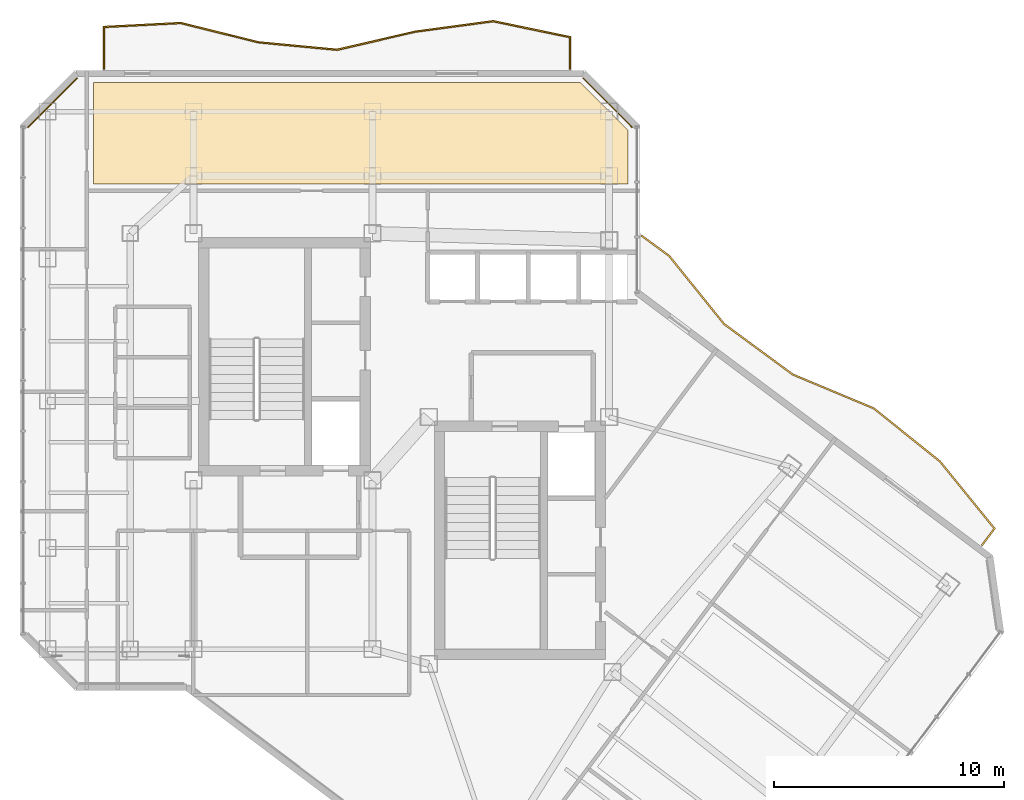
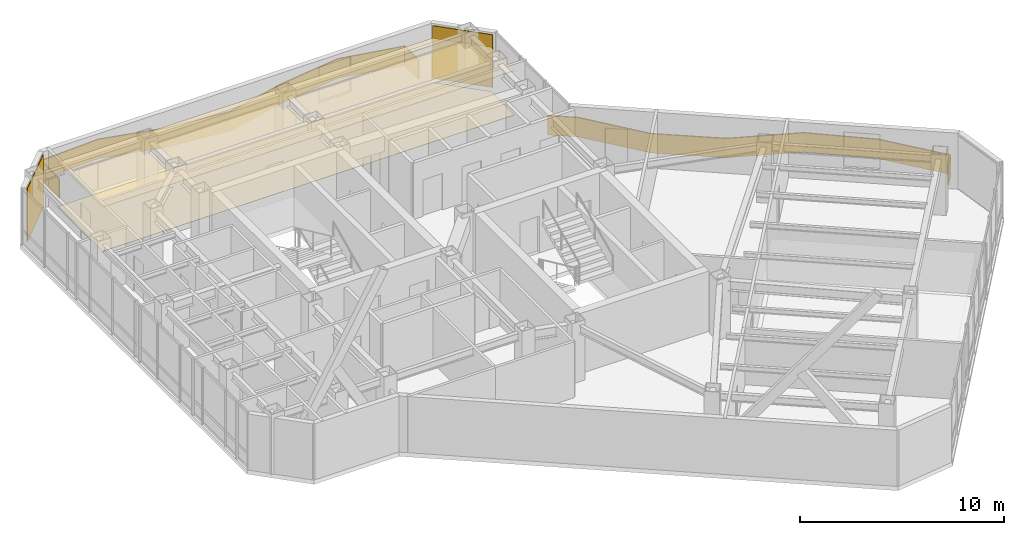
# One storey, part 24 of 24: 4 coverings, 2 railings.
"""IFC4 building model written with IfcOpenShell, lengths in metres."""

from ifc_helpers import new_model, si_unit, direction, frame, origin, origin_2d, place, context, subcontext, project, spatial, polyline, rectangle, outline, extrude, material, layer, layer_set, type_object, element, save


model = new_model("IFC4")

# Units and contexts
model_context = context("Model", 3, precision=1e-05, world=origin(), true_north=direction((0.0, 1.0)))
body_context = subcontext(model_context, "Body", "Model", "MODEL_VIEW")
ifc_project = project(units=[si_unit("LENGTHUNIT", "METRE"), si_unit("AREAUNIT", "SQUARE_METRE"), si_unit("VOLUMEUNIT", "CUBIC_METRE"), si_unit("PLANEANGLEUNIT", "RADIAN"), si_unit("MASSUNIT", "GRAM", prefix="KILO")], contexts=[model_context])

# Site, building, storey
site_placement = place(None, origin())
site = spatial("IfcSite", under=ifc_project, at=site_placement, CompositionType="ELEMENT")
building_placement = place(site_placement, origin())
building = spatial("IfcBuilding", under=site, at=building_placement, Name="Hatsunagi Terrace Concourse", CompositionType="ELEMENT")
storey_placement = place(building_placement, frame((0.0, 0.0, 213.14990234375)))
storey = spatial("IfcBuildingStorey", under=building, at=storey_placement, Name="L56", CompositionType="ELEMENT", Elevation=213.14990234375)

# Railings
ifc_material_1 = material(Name="Laminated Glass and Stainless Steel Guard", Category="steel")
ifc_layer_1 = layer(ifc_material_1, 0.070068359375)
ifc_layer_set_1 = layer_set([ifc_layer_1], Name="BalconyGlassGuardRail_1150")
railing_type = type_object("IfcRailingType", Name="BalconyGlassGuardRail_1150", PredefinedType="BALUSTRADE", material=ifc_layer_set_1)
railing_1_placement = place(storey_placement, origin())
element("IfcRailing", 1, at=railing_1_placement, inside=storey, type_object=railing_type, Name="Engawa Balcony Guard GRD-01 L56-BN-1", PredefinedType="BALUSTRADE", context=body_context, shape_type="SweptSolid", body=[
    extrude(outline(polyline([(21.614990234375, 50.449951171875), (21.68505859375, 50.449951171875), (21.68505859375, 52.251708984375), (24.99169921875, 52.421875), (28.385986328125, 51.581298828125), (31.805419921875, 51.256591796875), (35.21533203125, 52.04541015625), (38.5966796875, 52.50146484375), (41.9150390625, 51.8125), (41.9150390625, 50.449951171875), (41.985107421875, 50.449951171875), (41.985107421875, 51.869384765625), (38.599365234375, 52.572509765625), (35.20263671875, 52.114501953125), (31.800537109375, 51.327392578125), (28.39794921875, 51.650634765625), (24.998291015625, 52.4921875), (21.614990234375, 52.318115234375), (21.614990234375, 50.449951171875)])), origin(), (0.0, 0.0, 1.0), 1.150146484375),
])
railing_2_placement = place(storey_placement, origin())
element("IfcRailing", 2, at=railing_2_placement, inside=storey, type_object=railing_type, Name="Engawa Balcony Guard GRD-01 L56-BSE-1", PredefinedType="BALUSTRADE", context=body_context, shape_type="SweptSolid", body=[
    extrude(outline(polyline([(45.066650390625, 43.2353515625), (45.025390625, 43.1787109375), (46.233642578125, 42.29541015625), (48.629638671875, 39.324462890625), (51.629638671875, 37.120361328125), (55.14892578125, 35.650634765625), (58.022216796875, 33.347900390625), (60.379638671875, 30.447021484375), (59.842041015625, 29.73095703125), (59.89794921875, 29.68896484375), (60.468505859375, 30.448974609375), (58.07177734375, 33.39794921875), (55.18505859375, 35.71142578125), (51.664306640625, 37.181640625), (48.678466796875, 39.37548828125), (46.282470703125, 42.346435546875), (45.066650390625, 43.2353515625)])), origin(), (0.0, 0.0, 1.0), 1.150146484375),
])

# Coverings
ifc_material_2 = material(Name="Hardwood timber", Category="wood")
ifc_layer_2 = layer(ifc_material_2, 0.014892578125)
ifc_layer_set_2 = layer_set([ifc_layer_2], Name="HardwoodTimberFlooring_15")
covering_type_1 = type_object("IfcCoveringType", Name="HardwoodTimberFlooring_15", PredefinedType="FLOORING", material=ifc_layer_set_2)
covering_1_placement = place(storey_placement, origin())
element("IfcCovering", 3, at=covering_1_placement, inside=storey, type_object=covering_type_1, Name="Finished Flooring L56-1", PredefinedType="FLOORING", context=body_context, shape_type="SweptSolid", body=[
    extrude(outline(polyline([(42.3798828125, 49.8701171875), (21.199951171875, 49.8701171875), (21.199951171875, 45.449951171875), (44.469970703125, 45.449951171875), (44.469970703125, 47.780029296875), (42.3798828125, 49.8701171875)])), origin(), (0.0, 0.0, 1.0), 0.01513671875),
])
ifc_material_3 = material(Name="Unglazed Warm Terracotta Rainscreen Tile", Category="masonry")
ifc_layer_3 = layer(ifc_material_3, 0.044921875)
ifc_layer_set_3 = layer_set([ifc_layer_3], Name="TerracottaRainscreenCladding_45")
covering_type_2 = type_object("IfcCoveringType", Name="TerracottaRainscreenCladding_45", PredefinedType="CLADDING", material=ifc_layer_set_3)
for number, where, z_axis, x_axis, name in (
    (4, (19.4140625, 48.986083984375, 0.10009765625), (0.0, 0.0, 1.0), (0.707106781187, 0.707106781187, 0.0), "Terracotta Rainscreen Cladding L56-09"),
    (5, (43.5859375, 48.986083984375, 0.10009765625), (0.0, 0.0, 1.0), (0.707106781187, -0.707106781187, 0.0), "Terracotta Rainscreen Cladding L56-11"),
):
    element("IfcCovering", number, at=place(storey_placement, frame(where, z_axis=z_axis, x_axis=x_axis)), inside=storey, type_object=covering_type_2, Name=name, PredefinedType="CLADDING", context=body_context, shape_type="SweptSolid", body=[
        extrude(rectangle(XDim=3.0380859375, YDim=0.044921875, at=origin_2d()), origin(), (0.0, 0.0, 1.0), 3.14990234375),
    ])
ifc_material_4 = material(Name="Hardwood timber", Category="wood")
ifc_layer_4 = layer(ifc_material_4, 0.034912109375)
ifc_layer_set_4 = layer_set([ifc_layer_4], Name="TimberBaffleCeiling_35")
covering_type_3 = type_object("IfcCoveringType", Name="TimberBaffleCeiling_35", PredefinedType="CEILING", material=ifc_layer_set_4)
covering_2_placement = place(storey_placement, frame((0.0, 0.0, 2.630126953125)))
element("IfcCovering", 6, at=covering_2_placement, inside=storey, type_object=covering_type_3, Name="Suspended Ceiling L56-1", PredefinedType="CEILING", context=body_context, shape_type="SweptSolid", body=[
    extrude(outline(polyline([(42.3798828125, 49.8701171875), (21.199951171875, 49.8701171875), (21.199951171875, 45.449951171875), (44.469970703125, 45.449951171875), (44.469970703125, 47.780029296875), (42.3798828125, 49.8701171875)])), origin(), (0.0, 0.0, 1.0), 0.034912109375),
])

save(model, "model.ifc")
